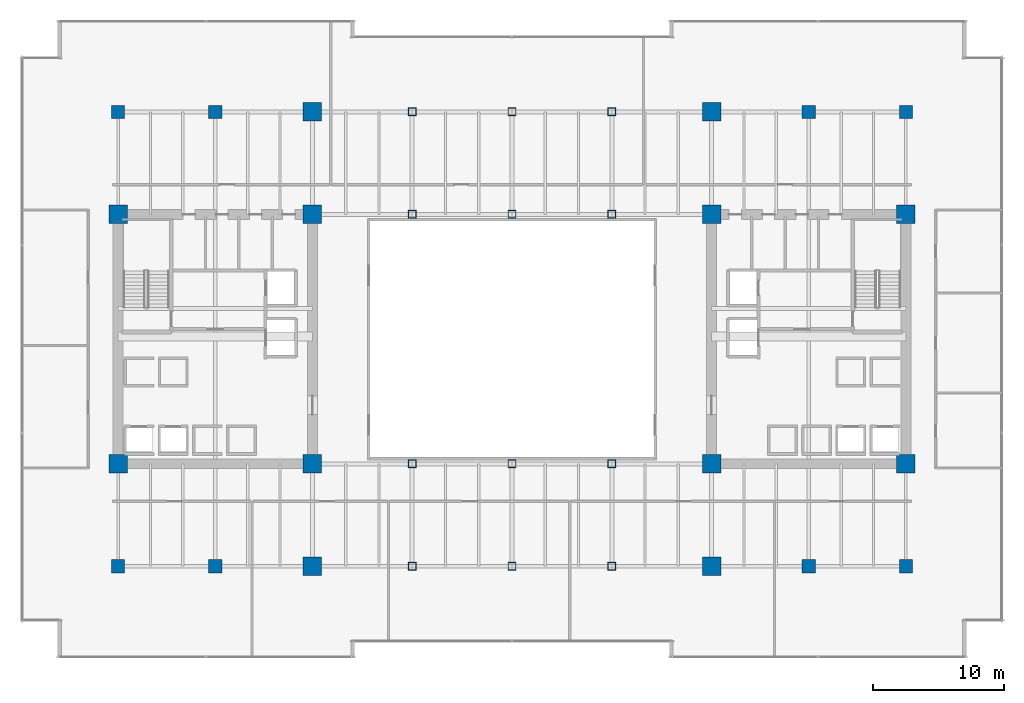
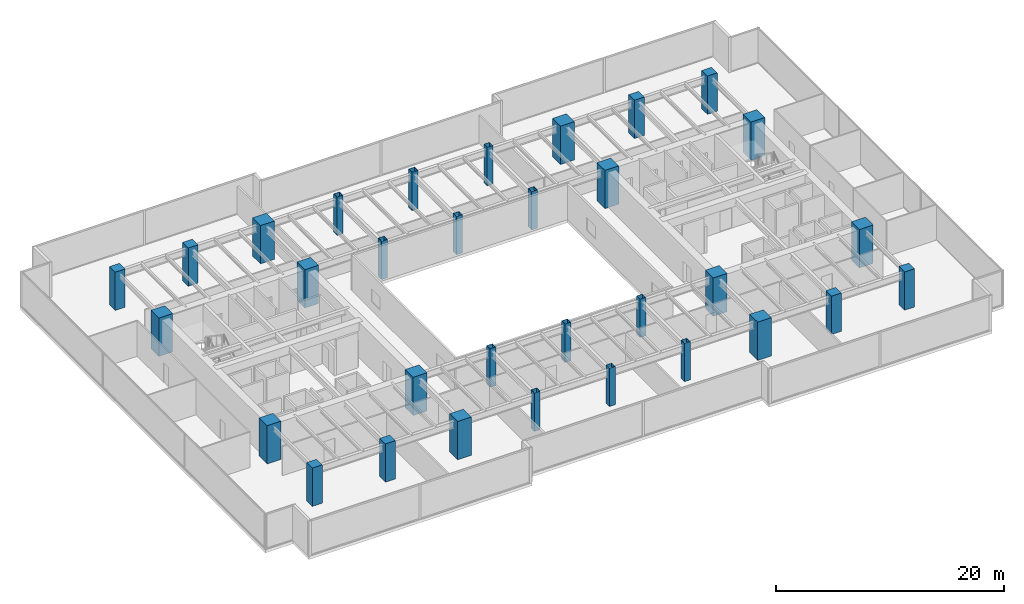
# One storey, part 1 of 35: 32 columns.
"""IFC4 building model written with IfcOpenShell, lengths in metres."""

from ifc_helpers import new_model, si_unit, direction, frame, origin, origin_2d, place, context, subcontext, project, spatial, rectangle, hollow_rectangle, extrude, source, transform, mapped, material, material_profile, profile_set, type_object, type_shapes, element, save


model = new_model("IFC4")

# Units and contexts
model_context = context("Model", 3, precision=1e-05, world=origin(), true_north=direction((0.0, 1.0)))
body_context = subcontext(model_context, "Body", "Model", "MODEL_VIEW")
ifc_project = project(units=[si_unit("LENGTHUNIT", "METRE"), si_unit("AREAUNIT", "SQUARE_METRE"), si_unit("VOLUMEUNIT", "CUBIC_METRE"), si_unit("PLANEANGLEUNIT", "RADIAN"), si_unit("MASSUNIT", "GRAM", prefix="KILO")], contexts=[model_context])

# Site, building, storey
site_placement = place(None, origin())
site = spatial("IfcSite", under=ifc_project, at=site_placement, CompositionType="ELEMENT")
building_placement = place(site_placement, origin())
building = spatial("IfcBuilding", under=site, at=building_placement, Name="Haelvirn Gate Laboratories", CompositionType="ELEMENT")
storey_placement = place(building_placement, frame((0.0, 0.0, 82.60009765625)))
storey = spatial("IfcBuildingStorey", under=building, at=storey_placement, Name="L20", CompositionType="ELEMENT", Elevation=82.60009765625)

# Columns
ifc_material_1 = material(Name="Concrete C60/75", Category="concrete")
ifc_material_profile_1 = material_profile(ifc_material_1, rectangle(XDim=1.0, YDim=1.0, at=origin_2d()), Name="RC-1000x1000")
ifc_profile_set_1 = profile_set([ifc_material_profile_1], Name="Concrete C60/75")
column_type_1 = type_object("IfcColumnType", Name="COL-RC-1000", PredefinedType="COLUMN", material=ifc_profile_set_1)
shared_shape_1 = source(origin(), body_context, "Body", "SweptSolid", [
    extrude(rectangle(XDim=1.0, YDim=1.0, at=origin_2d()), origin(), (0.0, 0.0, 1.0), 4.099853515625),
])
type_shapes(column_type_1, [shared_shape_1])
for number, where, z_axis, x_axis, name in (
    (1, (14.800048828125, 7.0, 0.0), (0.0, 0.0, 1.0), (1.0, 0.0, 0.0), "L20 Column 3B"),
    (2, (14.800048828125, 41.60009765625, 0.0), (0.0, 0.0, 1.0), (1.0, 0.0, 0.0), "L20 Column 3G"),
    (3, (60.0, 7.0, 0.0), (0.0, 0.0, 1.0), (1.0, 0.0, 0.0), "L20 Column 9B"),
    (4, (60.0, 41.60009765625, 0.0), (0.0, 0.0, 1.0), (1.0, 0.0, 0.0), "L20 Column 9G"),
    (5, (7.39990234375, 7.0, 0.0), (0.0, 0.0, 1.0), (1.0, 0.0, 0.0), "L20 Column 2B"),
    (6, (7.39990234375, 41.60009765625, 0.0), (0.0, 0.0, 1.0), (1.0, 0.0, 0.0), "L20 Column 2G"),
    (7, (67.39990234375, 7.0, 0.0), (0.0, 0.0, 1.0), (1.0, 0.0, 0.0), "L20 Column 10B"),
    (8, (67.39990234375, 41.60009765625, 0.0), (0.0, 0.0, 1.0), (1.0, 0.0, 0.0), "L20 Column 10G"),
):
    element("IfcColumn", number, at=place(storey_placement, frame(where, z_axis=z_axis, x_axis=x_axis)), inside=storey, type_object=column_type_1, Name=name, PredefinedType="COLUMN", context=body_context, shape_type="MappedRepresentation", body=[
        mapped(shared_shape_1, transform((0.0, 0.0, 0.0), scale=1.0)),
    ])
ifc_material_2 = material(Name="Concrete C70/85", Category="concrete")
ifc_material_profile_2 = material_profile(ifc_material_2, rectangle(XDim=1.39990234375, YDim=1.39990234375, at=origin_2d()), Name="SRC-1400x1400")
ifc_profile_set_2 = profile_set([ifc_material_profile_2], Name="Concrete C70/85")
column_type_2 = type_object("IfcColumnType", Name="COL-SRC-1400", PredefinedType="COLUMN", material=ifc_profile_set_2)
shared_shape_2 = source(origin(), body_context, "Body", "SweptSolid", [
    extrude(rectangle(XDim=1.39990234375, YDim=1.39990234375, at=origin_2d()), origin(), (0.0, 0.0, 1.0), 4.099853515625),
])
type_shapes(column_type_2, [shared_shape_2])
for number, where, z_axis, x_axis, name in (
    (9, (22.199951171875, 7.0, 0.0), (0.0, 0.0, 1.0), (1.0, 0.0, 0.0), "L20 Column 4B"),
    (10, (7.39990234375, 14.800048828125, 0.0), (0.0, 0.0, 1.0), (1.0, 0.0, 0.0), "L20 Column 2C"),
    (11, (22.199951171875, 14.800048828125, 0.0), (0.0, 0.0, 1.0), (1.0, 0.0, 0.0), "L20 Column 4C"),
    (12, (7.39990234375, 33.800048828125, 0.0), (0.0, 0.0, 1.0), (1.0, 0.0, 0.0), "L20 Column 2F"),
    (13, (22.199951171875, 33.800048828125, 0.0), (0.0, 0.0, 1.0), (1.0, 0.0, 0.0), "L20 Column 4F"),
    (14, (22.199951171875, 41.60009765625, 0.0), (0.0, 0.0, 1.0), (1.0, 0.0, 0.0), "L20 Column 4G"),
    (15, (52.60009765625, 7.0, 0.0), (0.0, 0.0, 1.0), (1.0, 0.0, 0.0), "L20 Column 8B"),
    (16, (52.60009765625, 14.800048828125, 0.0), (0.0, 0.0, 1.0), (1.0, 0.0, 0.0), "L20 Column 8C"),
    (17, (67.39990234375, 14.800048828125, 0.0), (0.0, 0.0, 1.0), (1.0, 0.0, 0.0), "L20 Column 10C"),
    (18, (52.60009765625, 33.800048828125, 0.0), (0.0, 0.0, 1.0), (1.0, 0.0, 0.0), "L20 Column 8F"),
    (19, (67.39990234375, 33.800048828125, 0.0), (0.0, 0.0, 1.0), (1.0, 0.0, 0.0), "L20 Column 10F"),
    (20, (52.60009765625, 41.60009765625, 0.0), (0.0, 0.0, 1.0), (1.0, 0.0, 0.0), "L20 Column 8G"),
):
    element("IfcColumn", number, at=place(storey_placement, frame(where, z_axis=z_axis, x_axis=x_axis)), inside=storey, type_object=column_type_2, Name=name, PredefinedType="COLUMN", context=body_context, shape_type="MappedRepresentation", body=[
        mapped(shared_shape_2, transform((0.0, 0.0, 0.0), scale=1.0)),
    ])
ifc_material_3 = material(Name="Steel SM420", Category="steel")
ifc_material_profile_3 = material_profile(ifc_material_3, hollow_rectangle(XDim=0.60009765625, YDim=0.60009765625, WallThickness=0.028076171875, at=origin_2d()), Name="BOX-600x600x28")
ifc_profile_set_3 = profile_set([ifc_material_profile_3], Name="Steel SM420")
column_type_3 = type_object("IfcColumnType", Name="COL-BOX-600", PredefinedType="COLUMN", material=ifc_profile_set_3)
shared_shape_3 = source(origin(), body_context, "Body", "SweptSolid", [
    extrude(hollow_rectangle(XDim=0.60009765625, YDim=0.60009765625, WallThickness=0.028076171875, at=origin_2d()), origin(), (0.0, 0.0, 1.0), 4.099853515625),
])
type_shapes(column_type_3, [shared_shape_3])
for number, where, z_axis, x_axis, name in (
    (21, (29.800048828125, 7.0, 0.0), (0.0, 0.0, 1.0), (1.0, 0.0, 0.0), "L20 Column 5B"),
    (22, (29.800048828125, 14.800048828125, 0.0), (0.0, 0.0, 1.0), (1.0, 0.0, 0.0), "L20 Column 5C"),
    (23, (29.800048828125, 33.800048828125, 0.0), (0.0, 0.0, 1.0), (1.0, 0.0, 0.0), "L20 Column 5F"),
    (24, (29.800048828125, 41.60009765625, 0.0), (0.0, 0.0, 1.0), (1.0, 0.0, 0.0), "L20 Column 5G"),
    (25, (37.39990234375, 7.0, 0.0), (0.0, 0.0, 1.0), (1.0, 0.0, 0.0), "L20 Column 6B"),
    (26, (37.39990234375, 14.800048828125, 0.0), (0.0, 0.0, 1.0), (1.0, 0.0, 0.0), "L20 Column 6C"),
    (27, (37.39990234375, 33.800048828125, 0.0), (0.0, 0.0, 1.0), (1.0, 0.0, 0.0), "L20 Column 6F"),
    (28, (37.39990234375, 41.60009765625, 0.0), (0.0, 0.0, 1.0), (1.0, 0.0, 0.0), "L20 Column 6G"),
    (29, (45.0, 7.0, 0.0), (0.0, 0.0, 1.0), (1.0, 0.0, 0.0), "L20 Column 7B"),
    (30, (45.0, 14.800048828125, 0.0), (0.0, 0.0, 1.0), (1.0, 0.0, 0.0), "L20 Column 7C"),
    (31, (45.0, 33.800048828125, 0.0), (0.0, 0.0, 1.0), (1.0, 0.0, 0.0), "L20 Column 7F"),
    (32, (45.0, 41.60009765625, 0.0), (0.0, 0.0, 1.0), (1.0, 0.0, 0.0), "L20 Column 7G"),
):
    element("IfcColumn", number, at=place(storey_placement, frame(where, z_axis=z_axis, x_axis=x_axis)), inside=storey, type_object=column_type_3, Name=name, PredefinedType="COLUMN", context=body_context, shape_type="MappedRepresentation", body=[
        mapped(shared_shape_3, transform((0.0, 0.0, 0.0), scale=1.0)),
    ])

save(model, "model.ifc")
